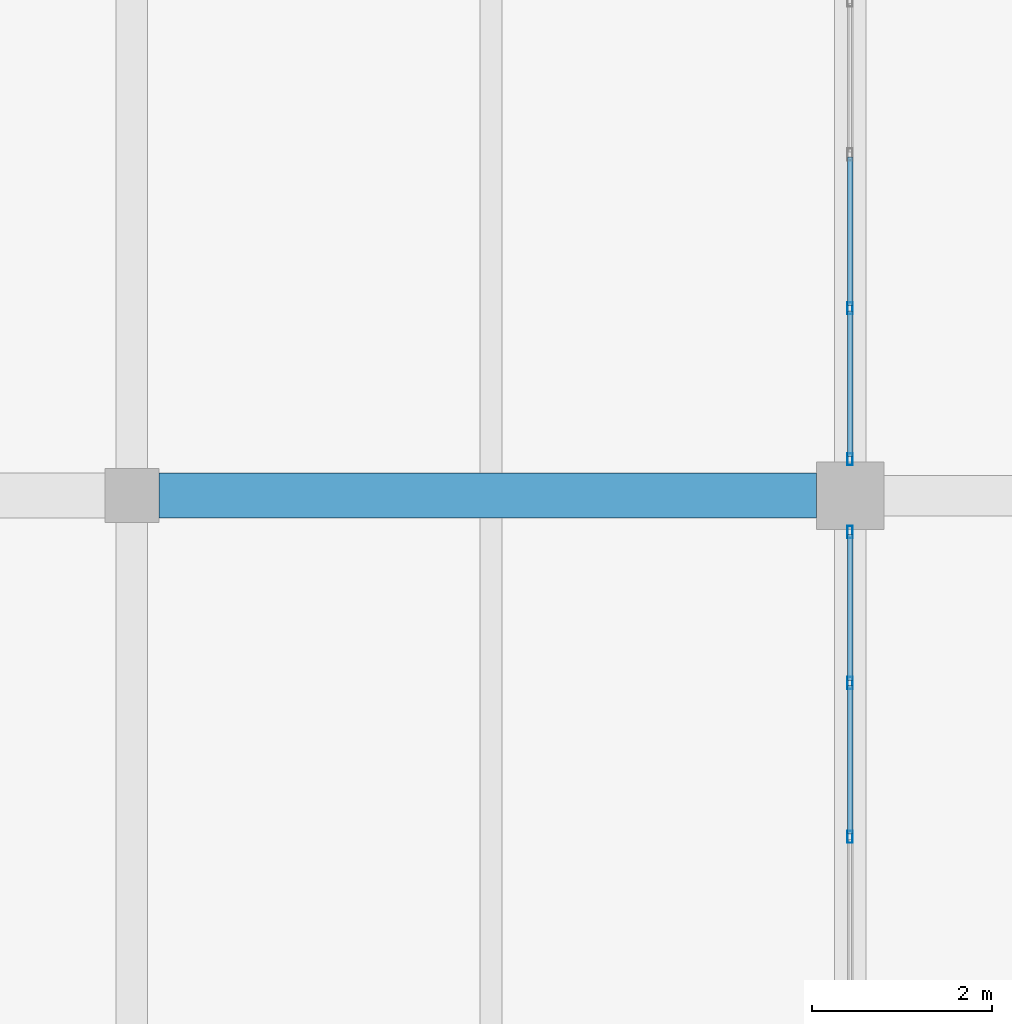
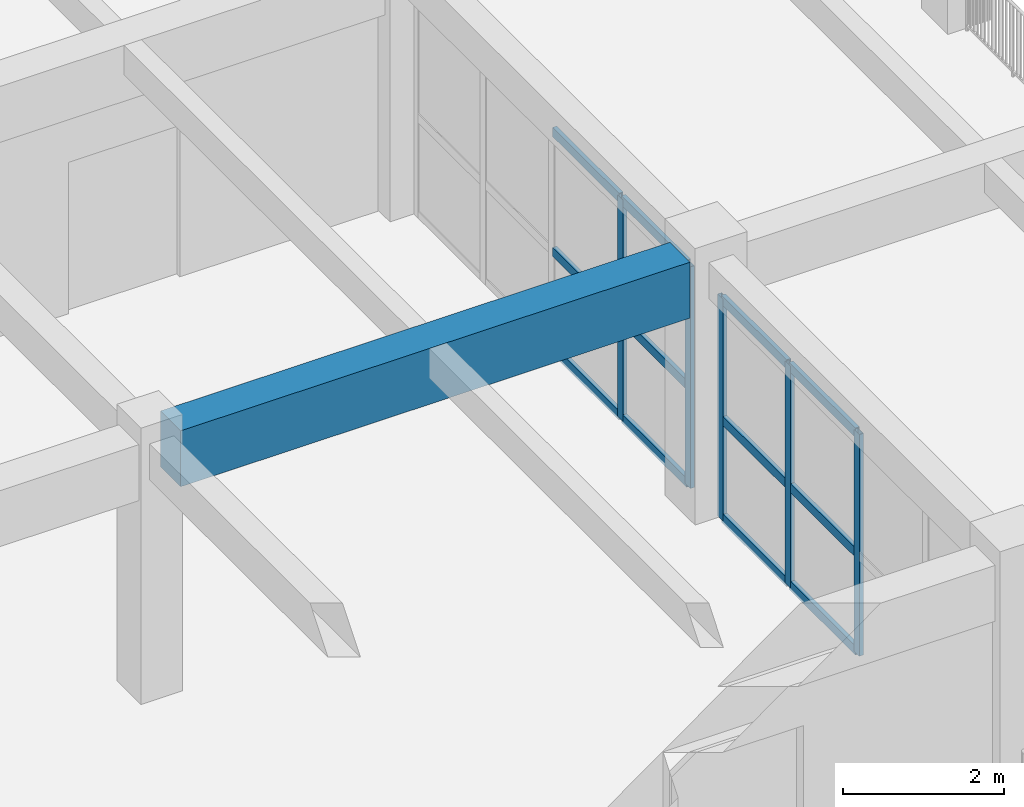
# One storey, part 19 of 63: 17 members, 1 beam, 2 elements without a shape of their own.
"""IFC4 building model written with IfcOpenShell, lengths in metres."""

from ifc_helpers import new_model, si_unit, direction, frame, origin, origin_2d, place, context, subcontext, project, spatial, rectangle, hollow_rectangle, extrude, material, material_profile, profile_set, type_object, element, aggregate, save


model = new_model("IFC4")

# Units and contexts
model_context = context("Model", 3, precision=1e-05, world=origin(), true_north=direction((0.0, 1.0)))
body_context = subcontext(model_context, "Body", "Model", "MODEL_VIEW")
ifc_project = project(units=[si_unit("LENGTHUNIT", "METRE"), si_unit("AREAUNIT", "SQUARE_METRE"), si_unit("VOLUMEUNIT", "CUBIC_METRE"), si_unit("PLANEANGLEUNIT", "RADIAN"), si_unit("MASSUNIT", "GRAM", prefix="KILO")], contexts=[model_context])

# Site, building, storey
site_placement = place(None, origin())
site = spatial("IfcSite", under=ifc_project, at=site_placement, CompositionType="ELEMENT")
building_placement = place(site_placement, origin())
building = spatial("IfcBuilding", under=site, at=building_placement, Name="Zantavel Square City Hall", CompositionType="ELEMENT")
storey_placement = place(building_placement, frame((0.0, 0.0, 14.699951171875)))
storey = spatial("IfcBuildingStorey", under=building, at=storey_placement, Name="L04", CompositionType="ELEMENT", Elevation=14.699951171875)

# Curtain wall, members
ifc_material_1 = material(Name="Anodised aluminium 6063-T6", Category="aluminium")
curtain_wall_type = type_object("IfcCurtainWallType", Name="Curtain Wall TRV1 6850x3370", PredefinedType="USERDEFINED", material=ifc_material_1)
curtain_wall_1_placement = place(storey_placement, origin())
curtain_wall_1 = element("IfcCurtainWall", 1, at=curtain_wall_1_placement, inside=storey, type_object=curtain_wall_type, Name="L04 Glazed Curtain Wall CW-L04-113", ObjectType="GLAZED CURTAIN WALL", PredefinedType="USERDEFINED")
ifc_material_profile_1 = material_profile(ifc_material_1, hollow_rectangle(XDim=0.06005859375, YDim=0.135009765625, WallThickness=0.00390625, at=origin_2d()), Name="ALU 60x135x4")
ifc_profile_set_1 = profile_set([ifc_material_profile_1], Name="Anodised aluminium 6063-T6")
member_type_1 = type_object("IfcMemberType", Name="CW Mullion ALU 60x135x4", PredefinedType="MULLION", material=ifc_profile_set_1)
member_1_placement = place(storey_placement, frame((104.0, 40.08740234375, 0.0), z_axis=(0.0, 0.0, 1.0), x_axis=(1.0, 0.0, 0.0)))
member_1 = element("IfcMember", 2, at=member_1_placement, type_object=member_type_1, Name="CW-113 mullion 4", PredefinedType="MULLION", context=body_context, shape_type="SweptSolid", body=[
    extrude(hollow_rectangle(XDim=0.06005859375, YDim=0.135009765625, WallThickness=0.00390625, at=origin_2d()), origin(), (0.0, 0.0, 1.0), 3.3701171875),
])
member_2_placement = place(storey_placement, frame((104.0, 38.405029296875, 0.0), z_axis=(0.0, 0.0, 1.0), x_axis=(1.0, 0.0, 0.0)))
member_2 = element("IfcMember", 3, at=member_2_placement, type_object=member_type_1, Name="CW-113 mullion 5", PredefinedType="MULLION", context=body_context, shape_type="SweptSolid", body=[
    extrude(hollow_rectangle(XDim=0.06005859375, YDim=0.135009765625, WallThickness=0.00390625, at=origin_2d()), origin(), (0.0, 0.0, 1.0), 3.3701171875),
])

curtain_wall_2_placement = place(storey_placement, origin())
curtain_wall_2 = element("IfcCurtainWall", 4, at=curtain_wall_2_placement, inside=storey, type_object=curtain_wall_type, Name="L04 Glazed Curtain Wall CW-L04-114", ObjectType="GLAZED CURTAIN WALL", PredefinedType="USERDEFINED")
member_3_placement = place(storey_placement, frame((104.0, 37.594970703125, 0.0), z_axis=(0.0, 0.0, 1.0), x_axis=(1.0, 0.0, 0.0)))
member_3 = element("IfcMember", 5, at=member_3_placement, type_object=member_type_1, Name="CW-114 mullion 1", PredefinedType="MULLION", context=body_context, shape_type="SweptSolid", body=[
    extrude(hollow_rectangle(XDim=0.06005859375, YDim=0.135009765625, WallThickness=0.00390625, at=origin_2d()), origin(), (0.0, 0.0, 1.0), 3.3701171875),
])
member_4_placement = place(storey_placement, frame((104.0, 35.91259765625, 0.0), z_axis=(0.0, 0.0, 1.0), x_axis=(1.0, 0.0, 0.0)))
member_4 = element("IfcMember", 6, at=member_4_placement, type_object=member_type_1, Name="CW-114 mullion 2", PredefinedType="MULLION", context=body_context, shape_type="SweptSolid", body=[
    extrude(hollow_rectangle(XDim=0.06005859375, YDim=0.135009765625, WallThickness=0.00390625, at=origin_2d()), origin(), (0.0, 0.0, 1.0), 3.3701171875),
])
member_5_placement = place(storey_placement, frame((104.0, 34.199951171875, 0.0), z_axis=(0.0, 0.0, 1.0), x_axis=(1.0, 0.0, 0.0)))
member_5 = element("IfcMember", 7, at=member_5_placement, type_object=member_type_1, Name="CW-114 mullion 3", PredefinedType="MULLION", context=body_context, shape_type="SweptSolid", body=[
    extrude(hollow_rectangle(XDim=0.06005859375, YDim=0.135009765625, WallThickness=0.00390625, at=origin_2d()), origin(), (0.0, 0.0, 1.0), 3.3701171875),
])

# Member
ifc_material_profile_2 = material_profile(ifc_material_1, hollow_rectangle(XDim=0.06005859375, YDim=0.139892578125, WallThickness=0.00390625, at=origin_2d()), Name="ALU 60x140x4")
ifc_profile_set_2 = profile_set([ifc_material_profile_2], Name="Anodised aluminium 6063-T6")
member_type_2 = type_object("IfcMemberType", Name="CW Transom ALU 60x140x4", PredefinedType="USERDEFINED", material=ifc_profile_set_2)
member_6_placement = place(storey_placement, frame((104.0, 41.77001953125, 0.030029296875), z_axis=(0.0, -1.0, 0.0), x_axis=(1.0, 0.0, 0.0)))
member_6 = element("IfcMember", 8, at=member_6_placement, type_object=member_type_2, Name="CW-113 transom 3.1", ObjectType="TRANSOM", PredefinedType="USERDEFINED", context=body_context, shape_type="SweptSolid", body=[
    extrude(hollow_rectangle(XDim=0.06005859375, YDim=0.139892578125, WallThickness=0.00390625, at=origin_2d()), origin(), (0.0, 0.0, 1.0), 1.652587890625),
])

member_7_placement = place(storey_placement, frame((104.0, 41.77001953125, 1.51708984375), z_axis=(0.0, -1.0, 0.0), x_axis=(1.0, 0.0, 0.0)))
member_7 = element("IfcMember", 9, at=member_7_placement, type_object=member_type_2, Name="CW-113 transom 3.2", ObjectType="TRANSOM", PredefinedType="USERDEFINED", context=body_context, shape_type="SweptSolid", body=[
    extrude(hollow_rectangle(XDim=0.06005859375, YDim=0.139892578125, WallThickness=0.00390625, at=origin_2d()), origin(), (0.0, 0.0, 1.0), 1.652587890625),
])

member_8_placement = place(storey_placement, frame((104.0, 41.77001953125, 3.340087890625), z_axis=(0.0, -1.0, 0.0), x_axis=(1.0, 0.0, 0.0)))
member_8 = element("IfcMember", 10, at=member_8_placement, type_object=member_type_2, Name="CW-113 transom 3.3", ObjectType="TRANSOM", PredefinedType="USERDEFINED", context=body_context, shape_type="SweptSolid", body=[
    extrude(hollow_rectangle(XDim=0.06005859375, YDim=0.139892578125, WallThickness=0.00390625, at=origin_2d()), origin(), (0.0, 0.0, 1.0), 1.652587890625),
])

member_9_placement = place(storey_placement, frame((104.0, 40.0576171875, 0.030029296875), z_axis=(0.0, -1.0, 0.0), x_axis=(1.0, 0.0, 0.0)))
member_9 = element("IfcMember", 11, at=member_9_placement, type_object=member_type_2, Name="CW-113 transom 4.1", ObjectType="TRANSOM", PredefinedType="USERDEFINED", context=body_context, shape_type="SweptSolid", body=[
    extrude(hollow_rectangle(XDim=0.06005859375, YDim=0.139892578125, WallThickness=0.00390625, at=origin_2d()), origin(), (0.0, 0.0, 1.0), 1.62255859375),
])

member_10_placement = place(storey_placement, frame((104.0, 40.0576171875, 1.51708984375), z_axis=(0.0, -1.0, 0.0), x_axis=(1.0, 0.0, 0.0)))
member_10 = element("IfcMember", 12, at=member_10_placement, type_object=member_type_2, Name="CW-113 transom 4.2", ObjectType="TRANSOM", PredefinedType="USERDEFINED", context=body_context, shape_type="SweptSolid", body=[
    extrude(hollow_rectangle(XDim=0.06005859375, YDim=0.139892578125, WallThickness=0.00390625, at=origin_2d()), origin(), (0.0, 0.0, 1.0), 1.62255859375),
])

member_11_placement = place(storey_placement, frame((104.0, 40.0576171875, 3.340087890625), z_axis=(0.0, -1.0, 0.0), x_axis=(1.0, 0.0, 0.0)))
member_11 = element("IfcMember", 13, at=member_11_placement, type_object=member_type_2, Name="CW-113 transom 4.3", ObjectType="TRANSOM", PredefinedType="USERDEFINED", context=body_context, shape_type="SweptSolid", body=[
    extrude(hollow_rectangle(XDim=0.06005859375, YDim=0.139892578125, WallThickness=0.00390625, at=origin_2d()), origin(), (0.0, 0.0, 1.0), 1.62255859375),
])

aggregate(curtain_wall_1, [member_1, member_2, member_6, member_7, member_8, member_9, member_10, member_11])

member_12_placement = place(storey_placement, frame((104.0, 37.56494140625, 0.030029296875), z_axis=(0.0, -1.0, 0.0), x_axis=(1.0, 0.0, 0.0)))
member_12 = element("IfcMember", 14, at=member_12_placement, type_object=member_type_2, Name="CW-114 transom 1.1", ObjectType="TRANSOM", PredefinedType="USERDEFINED", context=body_context, shape_type="SweptSolid", body=[
    extrude(hollow_rectangle(XDim=0.06005859375, YDim=0.139892578125, WallThickness=0.00390625, at=origin_2d()), origin(), (0.0, 0.0, 1.0), 1.62255859375),
])

member_13_placement = place(storey_placement, frame((104.0, 37.56494140625, 1.51708984375), z_axis=(0.0, -1.0, 0.0), x_axis=(1.0, 0.0, 0.0)))
member_13 = element("IfcMember", 15, at=member_13_placement, type_object=member_type_2, Name="CW-114 transom 1.2", ObjectType="TRANSOM", PredefinedType="USERDEFINED", context=body_context, shape_type="SweptSolid", body=[
    extrude(hollow_rectangle(XDim=0.06005859375, YDim=0.139892578125, WallThickness=0.00390625, at=origin_2d()), origin(), (0.0, 0.0, 1.0), 1.62255859375),
])

member_14_placement = place(storey_placement, frame((104.0, 37.56494140625, 3.340087890625), z_axis=(0.0, -1.0, 0.0), x_axis=(1.0, 0.0, 0.0)))
member_14 = element("IfcMember", 16, at=member_14_placement, type_object=member_type_2, Name="CW-114 transom 1.3", ObjectType="TRANSOM", PredefinedType="USERDEFINED", context=body_context, shape_type="SweptSolid", body=[
    extrude(hollow_rectangle(XDim=0.06005859375, YDim=0.139892578125, WallThickness=0.00390625, at=origin_2d()), origin(), (0.0, 0.0, 1.0), 1.62255859375),
])

member_15_placement = place(storey_placement, frame((104.0, 35.882568359375, 0.030029296875), z_axis=(0.0, -1.0, 0.0), x_axis=(1.0, 0.0, 0.0)))
member_15 = element("IfcMember", 17, at=member_15_placement, type_object=member_type_2, Name="CW-114 transom 2.1", ObjectType="TRANSOM", PredefinedType="USERDEFINED", context=body_context, shape_type="SweptSolid", body=[
    extrude(hollow_rectangle(XDim=0.06005859375, YDim=0.139892578125, WallThickness=0.00390625, at=origin_2d()), origin(), (0.0, 0.0, 1.0), 1.652587890625),
])

member_16_placement = place(storey_placement, frame((104.0, 35.882568359375, 1.51708984375), z_axis=(0.0, -1.0, 0.0), x_axis=(1.0, 0.0, 0.0)))
member_16 = element("IfcMember", 18, at=member_16_placement, type_object=member_type_2, Name="CW-114 transom 2.2", ObjectType="TRANSOM", PredefinedType="USERDEFINED", context=body_context, shape_type="SweptSolid", body=[
    extrude(hollow_rectangle(XDim=0.06005859375, YDim=0.139892578125, WallThickness=0.00390625, at=origin_2d()), origin(), (0.0, 0.0, 1.0), 1.652587890625),
])

member_17_placement = place(storey_placement, frame((104.0, 35.882568359375, 3.340087890625), z_axis=(0.0, -1.0, 0.0), x_axis=(1.0, 0.0, 0.0)))
member_17 = element("IfcMember", 19, at=member_17_placement, type_object=member_type_2, Name="CW-114 transom 2.3", ObjectType="TRANSOM", PredefinedType="USERDEFINED", context=body_context, shape_type="SweptSolid", body=[
    extrude(hollow_rectangle(XDim=0.06005859375, YDim=0.139892578125, WallThickness=0.00390625, at=origin_2d()), origin(), (0.0, 0.0, 1.0), 1.652587890625),
])

aggregate(curtain_wall_2, [member_3, member_4, member_5, member_12, member_13, member_14, member_15, member_16, member_17])

# Beam
ifc_material_2 = material(Name="Concrete C40/50", Category="concrete")
ifc_material_profile_3 = material_profile(ifc_material_2, rectangle(XDim=0.5, YDim=0.85009765625, at=origin_2d()), Name="RC 500x850")
ifc_profile_set_3 = profile_set([ifc_material_profile_3], Name="Concrete C40/50")
beam_type = type_object("IfcBeamType", Name="Council Chamber Girder RC 500x850 C40/50", PredefinedType="BEAM", material=ifc_profile_set_3)
beam_placement = place(storey_placement, frame((96.300048828125, 38.0, 3.4951171875), z_axis=(1.0, 0.0, 0.0), x_axis=(0.0, 1.0, 0.0)))
element("IfcBeam", 20, at=beam_placement, inside=storey, type_object=beam_type, Name="L04 Girder BMX-L04-0960-0380", PredefinedType="BEAM", context=body_context, shape_type="SweptSolid", body=[
    extrude(rectangle(XDim=0.5, YDim=0.85009765625, at=origin_2d()), origin(), (0.0, 0.0, 1.0), 7.324951171875),
])

save(model, "model.ifc")
